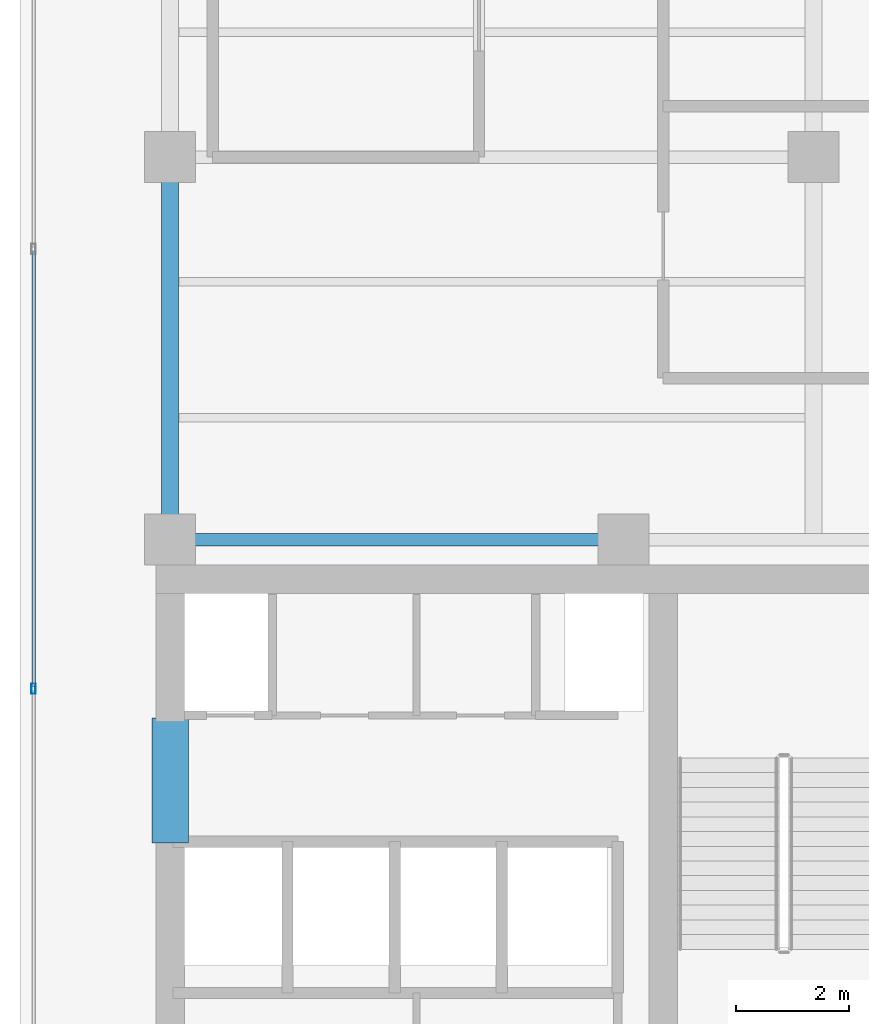
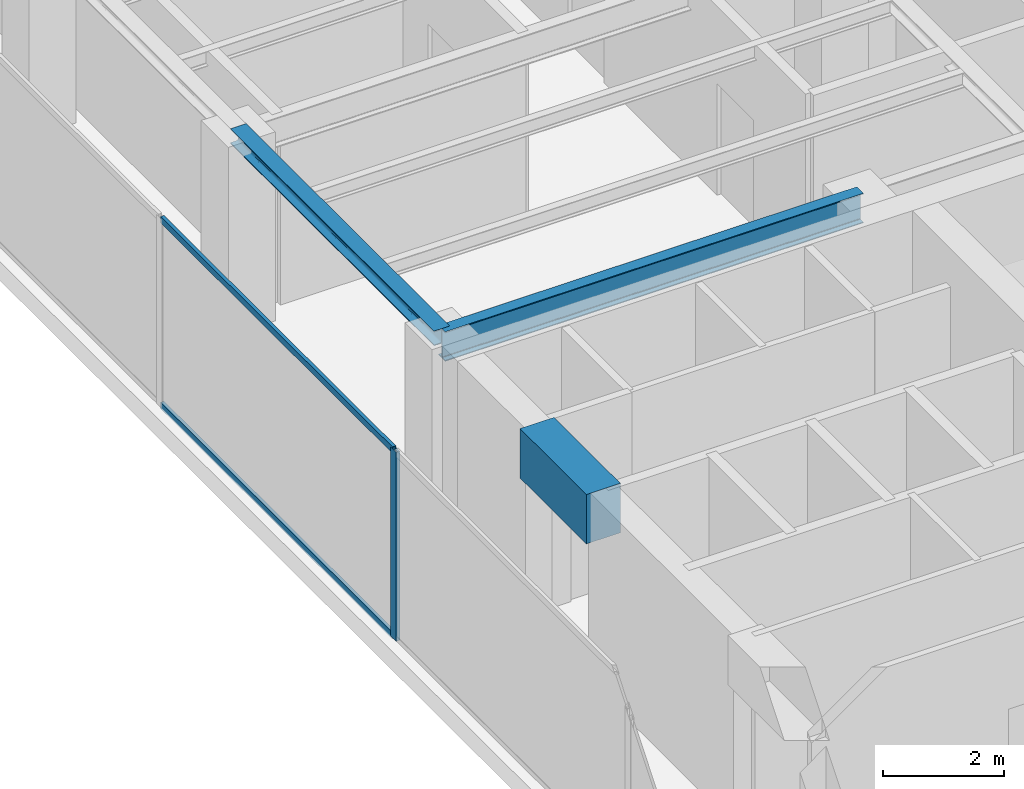
# One storey, part 8 of 24: 3 beams, 3 members, 1 element without a shape of its own.
"""IFC4 building model written with IfcOpenShell, lengths in metres."""

from ifc_helpers import new_model, si_unit, direction, frame, origin, origin_with_axes, origin_2d, place, context, subcontext, project, spatial, rectangle, hollow_rectangle, i_section, extrude, source, transform, mapped, material, layer, layer_set, material_profile, profile_set, type_object, element, aggregate, save


model = new_model("IFC4")

# Units and contexts
model_context = context("Model", 3, precision=1e-05, world=origin(), true_north=direction((0.0, 1.0)))
body_context = subcontext(model_context, "Body", "Model", "MODEL_VIEW")
ifc_project = project(units=[si_unit("LENGTHUNIT", "METRE"), si_unit("AREAUNIT", "SQUARE_METRE"), si_unit("VOLUMEUNIT", "CUBIC_METRE"), si_unit("PLANEANGLEUNIT", "RADIAN"), si_unit("MASSUNIT", "GRAM", prefix="KILO")], contexts=[model_context])

# Site, building, storey
site_placement = place(None, origin())
site = spatial("IfcSite", under=ifc_project, at=site_placement, CompositionType="ELEMENT")
building_placement = place(site_placement, origin())
building = spatial("IfcBuilding", under=site, at=building_placement, Name="Kolvaren Waterfront Exchange", CompositionType="ELEMENT")
storey_placement = place(building_placement, frame((0.0, 0.0, 356.199951171875)))
storey = spatial("IfcBuildingStorey", under=building, at=storey_placement, Name="L91", CompositionType="ELEMENT", Elevation=356.199951171875)

# Beams
ifc_material_1 = material(Name="Steel S355", Category="steel")
ifc_material_profile_1 = material_profile(ifc_material_1, i_section(OverallWidth=0.300048828125, OverallDepth=0.300048828125, WebThickness=0.010986328125, FlangeThickness=0.01904296875, FilletRadius=0.027099609375, at=origin_2d()), Name="HEB300")
ifc_profile_set_1 = profile_set([ifc_material_profile_1], Name="Steel S355")
beam_type_1 = type_object("IfcBeamType", Name="STR-BM-HEB300", PredefinedType="SPANDREL", material=ifc_profile_set_1)
beam_1_placement = place(storey_placement, frame((7.449951171875, 24.449951171875, 3.670166015625), z_axis=(0.0, 1.0, 0.0), x_axis=(-1.0, 0.0, 0.0)))
element("IfcBeam", 1, at=beam_1_placement, inside=storey, type_object=beam_type_1, Name="L91 north-arm edge beam 1", PredefinedType="SPANDREL", context=body_context, shape_type="SweptSolid", body=[
    extrude(i_section(OverallWidth=0.300048828125, OverallDepth=0.300048828125, WebThickness=0.010986328125, FlangeThickness=0.01904296875, FilletRadius=0.027099609375, at=origin_2d()), origin(), (0.0, 0.0, 1.0), 6.75),
])
ifc_material_profile_2 = material_profile(ifc_material_1, i_section(OverallWidth=0.219970703125, OverallDepth=0.60009765625, WebThickness=0.011962890625, FlangeThickness=0.01904296875, FilletRadius=0.02392578125, at=origin_2d()), Name="IPE600")
ifc_profile_set_2 = profile_set([ifc_material_profile_2], Name="Steel S355")
beam_type_2 = type_object("IfcBeamType", Name="STR-BM-IPE600", PredefinedType="BEAM", material=ifc_profile_set_2)
beam_2_placement = place(storey_placement, frame((7.449951171875, 24.449951171875, 3.52001953125), z_axis=(1.0, 0.0, 0.0), x_axis=(0.0, 1.0, 0.0)))
element("IfcBeam", 2, at=beam_2_placement, inside=storey, type_object=beam_type_2, Name="L91 north-arm girder 1A", PredefinedType="BEAM", context=body_context, shape_type="SweptSolid", body=[
    extrude(i_section(OverallWidth=0.219970703125, OverallDepth=0.60009765625, WebThickness=0.011962890625, FlangeThickness=0.01904296875, FilletRadius=0.02392578125, at=origin_2d()), origin(), (0.0, 0.0, 1.0), 8.0),
])
ifc_material_2 = material(Name="Concrete C60/75", Category="concrete")
ifc_material_profile_3 = material_profile(ifc_material_2, rectangle(XDim=0.64990234375, YDim=1.0, at=origin_2d()), Name="RC-CB-1000x650")
ifc_profile_set_3 = profile_set([ifc_material_profile_3], Name="Concrete C60/75")
beam_type_3 = type_object("IfcBeamType", Name="STR-CB-1000", PredefinedType="SPANDREL", material=ifc_profile_set_3)
beam_3_placement = place(storey_placement, frame((7.449951171875, 19.10009765625, 3.320068359375), z_axis=(0.0, 1.0, 0.0), x_axis=(-1.0, 0.0, 0.0)))
element("IfcBeam", 3, at=beam_3_placement, inside=storey, type_object=beam_type_3, Name="L91 core coupling beam 5", PredefinedType="SPANDREL", context=body_context, shape_type="SweptSolid", body=[
    extrude(rectangle(XDim=0.64990234375, YDim=1.0, at=origin_2d()), origin(), (0.0, 0.0, 1.0), 2.199951171875),
])

# Curtain wall, members
ifc_material_3 = material(Name="Anodised dark bronze spandrel aluminium", Category="aluminium")
ifc_layer = layer(ifc_material_3, 0.219970703125, Name="Anodised dark bronze spandrel aluminium")
ifc_layer_set = layer_set([ifc_layer], Name="Anodised dark bronze spandrel aluminium")
curtain_wall_type = type_object("IfcCurtainWallType", Name="ARC-CW-SYS6", PredefinedType="USERDEFINED", material=ifc_layer_set)
curtain_wall_placement = place(storey_placement, origin())
curtain_wall = element("IfcCurtainWall", 4, at=curtain_wall_placement, inside=storey, type_object=curtain_wall_type, Name="L91 stick curtain wall CW6 (CW-L91-W)", ObjectType="STICK CURTAIN WALL", PredefinedType="USERDEFINED")
ifc_material_4 = material(Name="Anodised bronze aluminium 6063-T6", Category="aluminium")
ifc_material_profile_4 = material_profile(ifc_material_4, hollow_rectangle(XDim=0.074951171875, YDim=0.179931640625, WallThickness=0.00439453125, at=origin_2d()), Name="ALU-MUL-180x75x4.5")
ifc_profile_set_4 = profile_set([ifc_material_profile_4], Name="Anodised bronze aluminium 6063-T6")
member_type_1 = type_object("IfcMemberType", Name="ARC-CWM-180", PredefinedType="MULLION", material=ifc_profile_set_4)
shared_shape_1 = source(origin_with_axes(), body_context, "Body", "SweptSolid", [
    extrude(hollow_rectangle(XDim=0.074951171875, YDim=0.179931640625, WallThickness=0.00439453125, at=origin_2d()), origin(), (0.0, 0.0, 1.0), 3.820068359375),
])
member_1_placement = place(storey_placement, frame((5.0400390625, 21.820068359375, 0.0), z_axis=(0.0, 0.0, 1.0), x_axis=(-1.0, 0.0, 0.0)))
member_1 = element("IfcMember", 5, at=member_1_placement, type_object=member_type_1, Name="CW6 mullion 3", PredefinedType="MULLION", context=body_context, shape_type="MappedRepresentation", body=[
    mapped(shared_shape_1, transform((0.0, 0.0, 0.0), x_axis=(1.0, 0.0, 0.0), y_axis=(0.0, 1.0, 0.0), z_axis=(0.0, 0.0, 1.0), scale=1.0)),
])
ifc_material_profile_5 = material_profile(ifc_material_4, hollow_rectangle(XDim=0.06494140625, YDim=0.1298828125, WallThickness=0.00390625, at=origin_2d()), Name="ALU-TRN-130x65x4")
ifc_profile_set_5 = profile_set([ifc_material_profile_5], Name="Anodised bronze aluminium 6063-T6")
member_type_2 = type_object("IfcMemberType", Name="ARC-CWT-130", PredefinedType="USERDEFINED", material=ifc_profile_set_5)
shared_shape_2 = source(origin_with_axes(), body_context, "Body", "SweptSolid", [
    extrude(hollow_rectangle(XDim=0.06494140625, YDim=0.1298828125, WallThickness=0.00390625, at=origin_2d()), origin(), (0.0, 0.0, 1.0), 7.68505859375),
])
member_2_placement = place(storey_placement, frame((5.0400390625, 21.857421875, 0.032470703125), z_axis=(0.0, 1.0, 0.0), x_axis=(-1.0, 0.0, 0.0)))
member_2 = element("IfcMember", 6, at=member_2_placement, type_object=member_type_2, Name="CW6 transom 3.1", ObjectType="TRANSOM", PredefinedType="USERDEFINED", context=body_context, shape_type="MappedRepresentation", body=[
    mapped(shared_shape_2, transform((0.0, 0.0, 0.0), x_axis=(1.0, 0.0, 0.0), y_axis=(0.0, 1.0, 0.0), z_axis=(0.0, 0.0, 1.0), scale=1.0)),
])
member_3_placement = place(storey_placement, frame((5.0400390625, 21.857421875, 3.78759765625), z_axis=(0.0, 1.0, 0.0), x_axis=(-1.0, 0.0, 0.0)))
member_3 = element("IfcMember", 7, at=member_3_placement, type_object=member_type_2, Name="CW6 transom 3.2", ObjectType="TRANSOM", PredefinedType="USERDEFINED", context=body_context, shape_type="MappedRepresentation", body=[
    mapped(shared_shape_2, transform((0.0, 0.0, 0.0), x_axis=(1.0, 0.0, 0.0), y_axis=(0.0, 1.0, 0.0), z_axis=(0.0, 0.0, 1.0), scale=1.0)),
])
aggregate(curtain_wall, [member_1, member_2, member_3])

save(model, "model.ifc")
